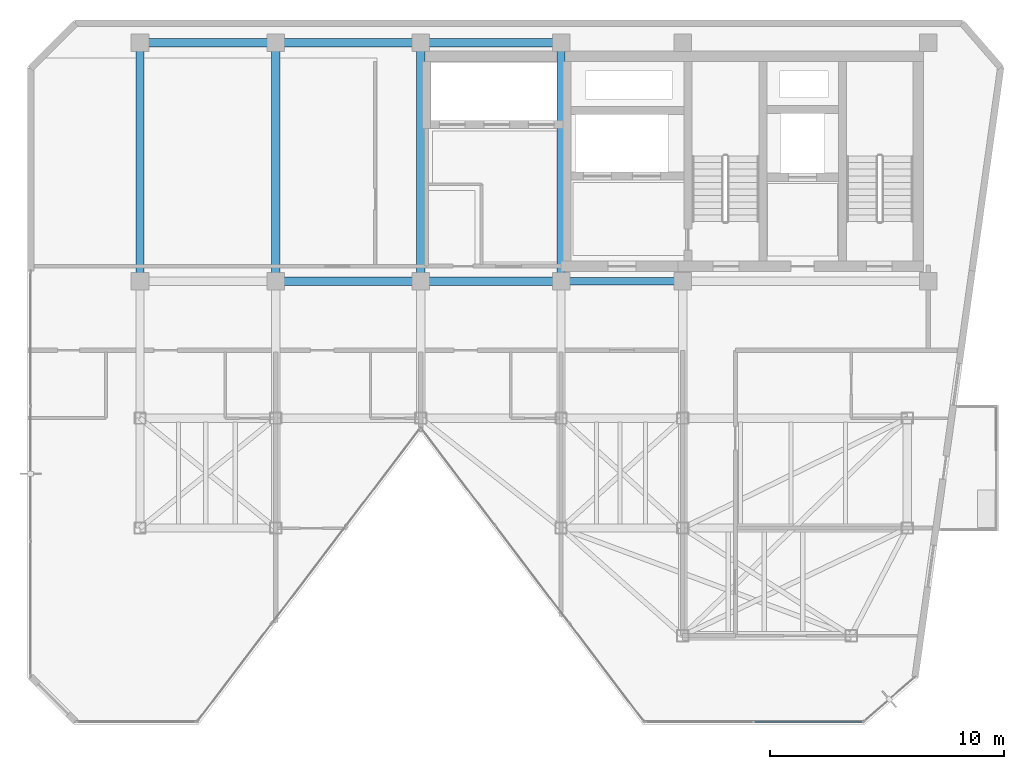
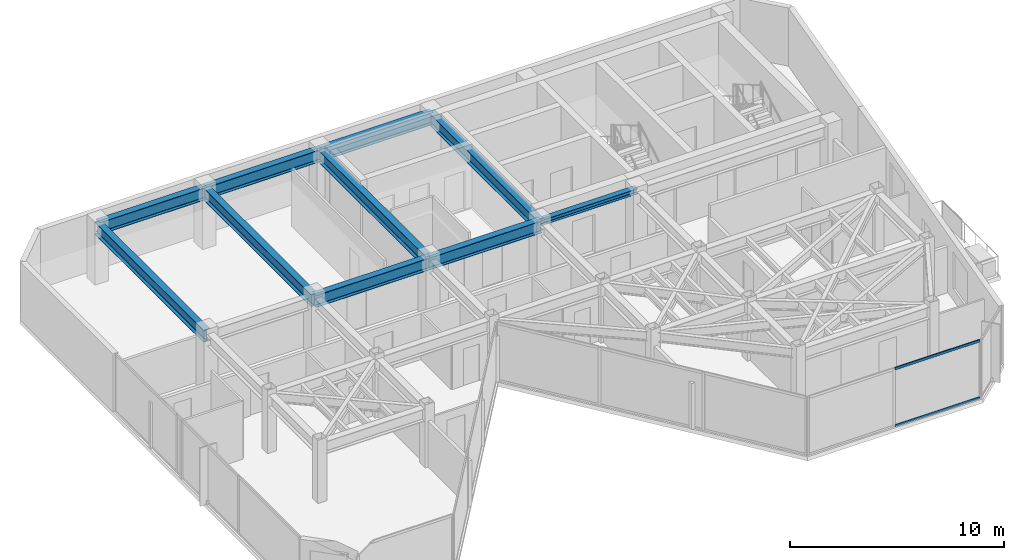
# One storey, part 12 of 19: 10 beams, 2 members, 1 element without a shape of its own.
"""IFC4 building model written with IfcOpenShell, lengths in metres."""

from ifc_helpers import new_model, si_unit, direction, frame, origin, origin_2d, place, context, subcontext, project, spatial, hollow_rectangle, i_section, extrude, material, layer, layer_set, material_profile, profile_set, type_object, element, aggregate, save


model = new_model("IFC4")

# Units and contexts
model_context = context("Model", 3, precision=1e-05, world=origin(), true_north=direction((0.0, 1.0)))
body_context = subcontext(model_context, "Body", "Model", "MODEL_VIEW")
ifc_project = project(units=[si_unit("LENGTHUNIT", "METRE"), si_unit("AREAUNIT", "SQUARE_METRE"), si_unit("VOLUMEUNIT", "CUBIC_METRE"), si_unit("PLANEANGLEUNIT", "RADIAN"), si_unit("MASSUNIT", "GRAM", prefix="KILO")], contexts=[model_context])

# Site, building, storey
site_placement = place(None, origin())
site = spatial("IfcSite", under=ifc_project, at=site_placement, CompositionType="ELEMENT")
building_placement = place(site_placement, origin())
building = spatial("IfcBuilding", under=site, at=building_placement, Name="Kravanh Interchange Tower", CompositionType="ELEMENT")
storey_placement = place(building_placement, frame((0.0, 0.0, 274.199951171875)))
storey = spatial("IfcBuildingStorey", under=building, at=storey_placement, Name="L67", CompositionType="ELEMENT", Elevation=274.199951171875)

# Curtain wall, members
ifc_material_1 = material(Name="Anodised Bronze Aluminium", Category="aluminium")
ifc_layer = layer(ifc_material_1, 0.179931640625)
ifc_layer_set = layer_set([ifc_layer], Name="Unitised Curtain Wall System CW-HTL Luxury Hotel")
curtain_wall_type = type_object("IfcCurtainWallType", Name="Unitised Curtain Wall System CW-HTL Luxury Hotel", PredefinedType="NOTDEFINED", material=ifc_layer_set)
curtain_wall_placement = place(storey_placement, origin())
curtain_wall = element("IfcCurtainWall", 1, at=curtain_wall_placement, inside=storey, type_object=curtain_wall_type, Name="L67 Unitised Curtain Wall CW-L67-03", PredefinedType="NOTDEFINED")
ifc_material_2 = material(Name="Anodised Bronze Aluminium", Category="aluminium")
ifc_material_profile_1 = material_profile(ifc_material_2, hollow_rectangle(XDim=0.06005859375, YDim=0.139892578125, WallThickness=0.00390625, at=origin_2d()), Name="ALU60X140X4")
ifc_profile_set_1 = profile_set([ifc_material_profile_1], Name="Anodised Bronze Aluminium")
member_type = type_object("IfcMemberType", Name="Curtain Wall Transom ALU60X140X4 Bronze", PredefinedType="USERDEFINED", material=ifc_profile_set_1)
member_1_placement = place(storey_placement, frame((63.664794921875, 18.52001953125, 0.030029296875), z_axis=(-1.0, 0.0, 0.0), x_axis=(0.0, -1.0, 0.0)))
member_1 = element("IfcMember", 2, at=member_1_placement, type_object=member_type, Name="CW-HTL transom 1.1", ObjectType="TRANSOM", PredefinedType="USERDEFINED", context=body_context, shape_type="SweptSolid", body=[
    extrude(hollow_rectangle(XDim=0.06005859375, YDim=0.139892578125, WallThickness=0.00390625, at=origin_2d()), origin(), (0.0, 0.0, 1.0), 4.592529296875),
])
member_2_placement = place(storey_placement, frame((63.664794921875, 18.52001953125, 3.2900390625), z_axis=(-1.0, 0.0, 0.0), x_axis=(0.0, -1.0, 0.0)))
member_2 = element("IfcMember", 3, at=member_2_placement, type_object=member_type, Name="CW-HTL transom 1.2", ObjectType="TRANSOM", PredefinedType="USERDEFINED", context=body_context, shape_type="SweptSolid", body=[
    extrude(hollow_rectangle(XDim=0.06005859375, YDim=0.139892578125, WallThickness=0.00390625, at=origin_2d()), origin(), (0.0, 0.0, 1.0), 4.592529296875),
])
aggregate(curtain_wall, [member_1, member_2])

# Beams
ifc_material_3 = material(Name="Structural Steel S355", Category="steel")
ifc_material_profile_2 = material_profile(ifc_material_3, i_section(OverallWidth=0.35498046875, OverallDepth=0.696044921875, WebThickness=0.015380859375, FlangeThickness=0.02490234375, FilletRadius=0.02392578125, at=origin_2d()), Name="W27X146")
ifc_profile_set_2 = profile_set([ifc_material_profile_2], Name="Structural Steel S355")
beam_type_1 = type_object("IfcBeamType", Name="Floor Beam W27X146 Structural Steel S355", PredefinedType="BEAM", material=ifc_profile_set_2)
beam_1_placement = place(storey_placement, frame((50.800048828125, 47.550048828125, 2.97216796875), z_axis=(-1.0, 0.0, 0.0), x_axis=(0.0, -1.0, 0.0)))
element("IfcBeam", 4, at=beam_1_placement, inside=storey, type_object=beam_type_1, Name="L67 Primary Floor Girder 40", PredefinedType="BEAM", context=body_context, shape_type="SweptSolid", body=[
    extrude(i_section(OverallWidth=0.35498046875, OverallDepth=0.696044921875, WebThickness=0.015380859375, FlangeThickness=0.02490234375, FilletRadius=0.02392578125, at=origin_2d()), origin(), (0.0, 0.0, 1.0), 6.0),
])
beam_2_placement = place(storey_placement, frame((50.800048828125, 47.550048828125, 2.97216796875), z_axis=(0.0, -1.0, 0.0), x_axis=(1.0, 0.0, 0.0)))
element("IfcBeam", 5, at=beam_2_placement, inside=storey, type_object=beam_type_1, Name="L67 Primary Floor Girder 41", PredefinedType="BEAM", context=body_context, shape_type="SweptSolid", body=[
    extrude(i_section(OverallWidth=0.35498046875, OverallDepth=0.696044921875, WebThickness=0.015380859375, FlangeThickness=0.02490234375, FilletRadius=0.02392578125, at=origin_2d()), origin(), (0.0, 0.0, 1.0), 10.199951171875),
])
beam_3_placement = place(storey_placement, frame((50.800048828125, 37.35009765625, 2.97216796875), z_axis=(-1.0, 0.0, 0.0), x_axis=(0.0, -1.0, 0.0)))
element("IfcBeam", 6, at=beam_3_placement, inside=storey, type_object=beam_type_1, Name="L67 Primary Floor Girder 42", PredefinedType="BEAM", context=body_context, shape_type="SweptSolid", body=[
    extrude(i_section(OverallWidth=0.35498046875, OverallDepth=0.696044921875, WebThickness=0.015380859375, FlangeThickness=0.02490234375, FilletRadius=0.02392578125, at=origin_2d()), origin(), (0.0, 0.0, 1.0), 6.0),
])
beam_4_placement = place(storey_placement, frame((44.800048828125, 37.35009765625, 2.97216796875), z_axis=(-1.0, 0.0, 0.0), x_axis=(0.0, -1.0, 0.0)))
element("IfcBeam", 7, at=beam_4_placement, inside=storey, type_object=beam_type_1, Name="L67 Primary Floor Girder 43", PredefinedType="BEAM", context=body_context, shape_type="SweptSolid", body=[
    extrude(i_section(OverallWidth=0.35498046875, OverallDepth=0.696044921875, WebThickness=0.015380859375, FlangeThickness=0.02490234375, FilletRadius=0.02392578125, at=origin_2d()), origin(), (0.0, 0.0, 1.0), 6.199951171875),
])
beam_5_placement = place(storey_placement, frame((44.800048828125, 37.35009765625, 2.97216796875), z_axis=(0.0, 1.0, 0.0), x_axis=(-1.0, 0.0, 0.0)))
element("IfcBeam", 8, at=beam_5_placement, inside=storey, type_object=beam_type_1, Name="L67 Primary Floor Girder 44", PredefinedType="BEAM", context=body_context, shape_type="SweptSolid", body=[
    extrude(i_section(OverallWidth=0.35498046875, OverallDepth=0.696044921875, WebThickness=0.015380859375, FlangeThickness=0.02490234375, FilletRadius=0.02392578125, at=origin_2d()), origin(), (0.0, 0.0, 1.0), 10.199951171875),
])
beam_6_placement = place(storey_placement, frame((44.800048828125, 47.550048828125, 2.97216796875), z_axis=(-1.0, 0.0, 0.0), x_axis=(0.0, -1.0, 0.0)))
element("IfcBeam", 9, at=beam_6_placement, inside=storey, type_object=beam_type_1, Name="L67 Primary Floor Girder 45", PredefinedType="BEAM", context=body_context, shape_type="SweptSolid", body=[
    extrude(i_section(OverallWidth=0.35498046875, OverallDepth=0.696044921875, WebThickness=0.015380859375, FlangeThickness=0.02490234375, FilletRadius=0.02392578125, at=origin_2d()), origin(), (0.0, 0.0, 1.0), 6.199951171875),
])
beam_7_placement = place(storey_placement, frame((38.60009765625, 37.35009765625, 2.97216796875), z_axis=(0.0, 1.0, 0.0), x_axis=(-1.0, 0.0, 0.0)))
element("IfcBeam", 10, at=beam_7_placement, inside=storey, type_object=beam_type_1, Name="L67 Primary Floor Girder 47", PredefinedType="BEAM", context=body_context, shape_type="SweptSolid", body=[
    extrude(i_section(OverallWidth=0.35498046875, OverallDepth=0.696044921875, WebThickness=0.015380859375, FlangeThickness=0.02490234375, FilletRadius=0.02392578125, at=origin_2d()), origin(), (0.0, 0.0, 1.0), 10.199951171875),
])
beam_8_placement = place(storey_placement, frame((38.60009765625, 47.550048828125, 2.97216796875), z_axis=(-1.0, 0.0, 0.0), x_axis=(0.0, -1.0, 0.0)))
element("IfcBeam", 11, at=beam_8_placement, inside=storey, type_object=beam_type_1, Name="L67 Primary Floor Girder 48", PredefinedType="BEAM", context=body_context, shape_type="SweptSolid", body=[
    extrude(i_section(OverallWidth=0.35498046875, OverallDepth=0.696044921875, WebThickness=0.015380859375, FlangeThickness=0.02490234375, FilletRadius=0.02392578125, at=origin_2d()), origin(), (0.0, 0.0, 1.0), 5.800048828125),
])
beam_9_placement = place(storey_placement, frame((32.800048828125, 37.35009765625, 2.97216796875), z_axis=(0.0, 1.0, 0.0), x_axis=(-1.0, 0.0, 0.0)))
element("IfcBeam", 12, at=beam_9_placement, inside=storey, type_object=beam_type_1, Name="L67 Primary Floor Girder 49", PredefinedType="BEAM", context=body_context, shape_type="SweptSolid", body=[
    extrude(i_section(OverallWidth=0.35498046875, OverallDepth=0.696044921875, WebThickness=0.015380859375, FlangeThickness=0.02490234375, FilletRadius=0.02392578125, at=origin_2d()), origin(), (0.0, 0.0, 1.0), 10.199951171875),
])
ifc_material_4 = material(Name="Structural Steel S355", Category="steel")
ifc_material_profile_3 = material_profile(ifc_material_4, i_section(OverallWidth=0.304931640625, OverallDepth=0.306884765625, WebThickness=0.010009765625, FlangeThickness=0.015380859375, FilletRadius=0.014892578125, at=origin_2d()), Name="W12X65")
ifc_profile_set_3 = profile_set([ifc_material_profile_3], Name="Structural Steel S355")
beam_type_2 = type_object("IfcBeamType", Name="Floor Lintel W12X65 Structural Steel S355", PredefinedType="LINTEL", material=ifc_profile_set_3)
beam_10_placement = place(storey_placement, frame((50.800048828125, 37.35009765625, 3.16650390625), z_axis=(1.0, 0.0, 0.0), x_axis=(0.0, 1.0, 0.0)))
element("IfcBeam", 13, at=beam_10_placement, inside=storey, type_object=beam_type_2, Name="L67 Core Coupling Lintel 1", PredefinedType="LINTEL", context=body_context, shape_type="SweptSolid", body=[
    extrude(i_section(OverallWidth=0.304931640625, OverallDepth=0.306884765625, WebThickness=0.010009765625, FlangeThickness=0.015380859375, FilletRadius=0.014892578125, at=origin_2d()), origin(), (0.0, 0.0, 1.0), 5.199951171875),
])

save(model, "model.ifc")
